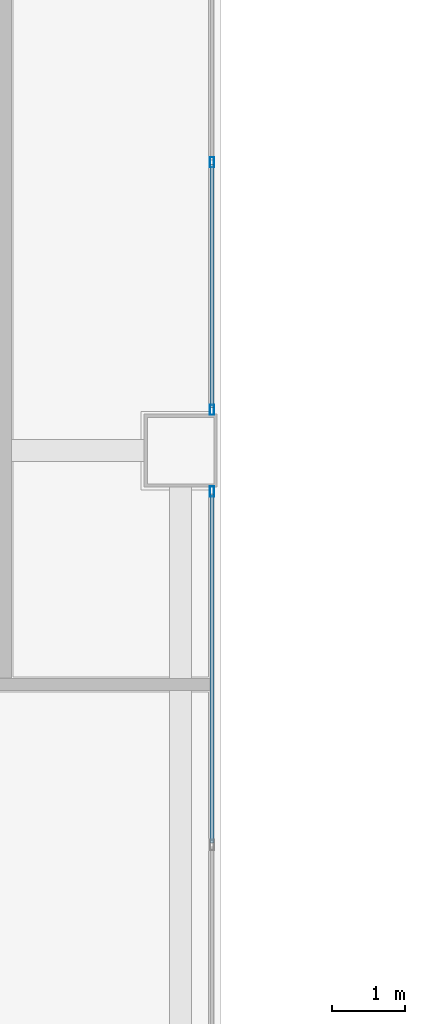
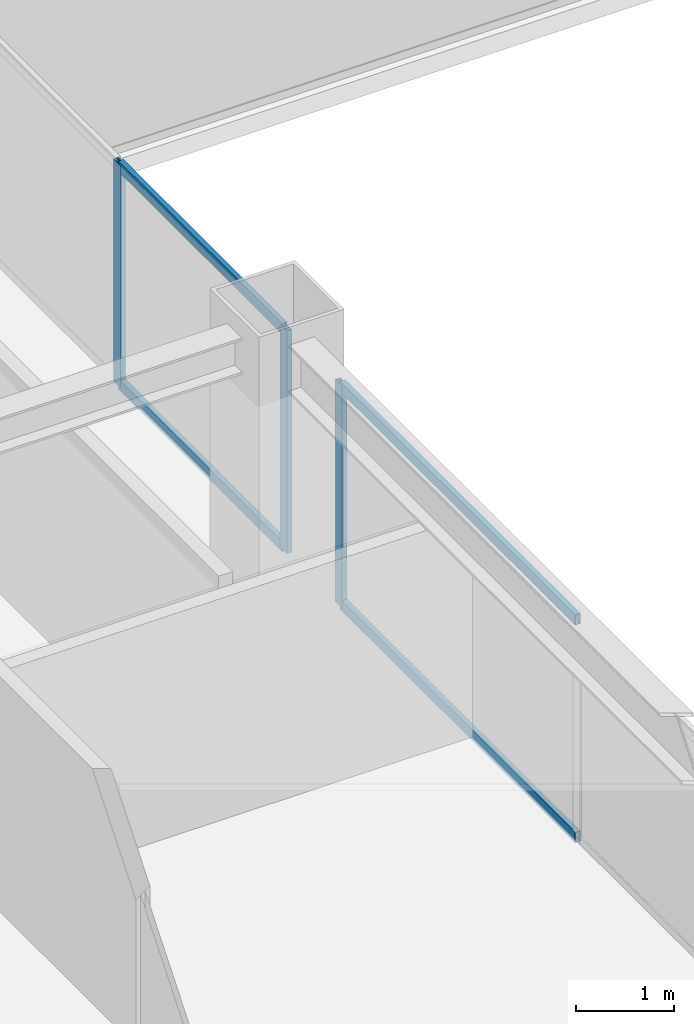
# One storey, part 7 of 29: 7 members, 2 elements without a shape of their own.
"""IFC4 building model written with IfcOpenShell, lengths in metres."""

from ifc_helpers import new_model, si_unit, direction, frame, origin, origin_2d, place, context, subcontext, project, spatial, hollow_rectangle, extrude, source, transform, mapped, material, layer, layer_set, material_profile, profile_set, type_object, element, aggregate, save


model = new_model("IFC4")

# Units and contexts
model_context = context("Model", 3, precision=1e-05, world=origin(), true_north=direction((0.0, 1.0)))
body_context = subcontext(model_context, "Body", "Model", "MODEL_VIEW")
ifc_project = project(units=[si_unit("LENGTHUNIT", "METRE"), si_unit("AREAUNIT", "SQUARE_METRE"), si_unit("VOLUMEUNIT", "CUBIC_METRE"), si_unit("PLANEANGLEUNIT", "RADIAN"), si_unit("MASSUNIT", "GRAM", prefix="KILO")], contexts=[model_context])

# Site, building, storey
site_placement = place(None, origin())
site = spatial("IfcSite", under=ifc_project, at=site_placement, CompositionType="ELEMENT")
building_placement = place(site_placement, origin())
building = spatial("IfcBuilding", under=site, at=building_placement, Name="Sumidabori Civic Tower", CompositionType="ELEMENT")
storey_placement = place(building_placement, frame((0.0, 0.0, 218.0)))
storey = spatial("IfcBuildingStorey", under=building, at=storey_placement, Name="L56", CompositionType="ELEMENT", Elevation=218.0)

# Curtain wall, member
ifc_material = material(Name="Anodised Bronze Aluminium AW-6063-T6", Category="aluminium")
ifc_layer = layer(ifc_material, 0.179931640625, Name="Anodised Bronze Aluminium AW-6063-T6")
ifc_layer_set = layer_set([ifc_layer], Name="Anodised Bronze Aluminium AW-6063-T6")
curtain_wall_type = type_object("IfcCurtainWallType", Name="CW-SYS-4", PredefinedType="NOTDEFINED", material=ifc_layer_set)
curtain_wall_1_placement = place(storey_placement, origin())
curtain_wall_1 = element("IfcCurtainWall", 1, at=curtain_wall_1_placement, inside=storey, type_object=curtain_wall_type, Name="Curtain Wall CW:L56:R03", PredefinedType="NOTDEFINED")
ifc_material_profile_1 = material_profile(ifc_material, hollow_rectangle(XDim=0.06005859375, YDim=0.139892578125, WallThickness=0.0048828125, at=origin_2d()), Name="ALU MULLION 140x60")
ifc_profile_set_1 = profile_set([ifc_material_profile_1], Name="Anodised Bronze Aluminium AW-6063-T6")
member_type_1 = type_object("IfcMemberType", Name="CW-MUL-140", PredefinedType="MULLION", material=ifc_profile_set_1)
shared_shape_1 = source(origin(), body_context, "Body", "SweptSolid", [
    extrude(hollow_rectangle(XDim=0.06005859375, YDim=0.139892578125, WallThickness=0.0048828125, at=origin_2d()), origin(), (0.0, 0.0, 1.0), 2.760009765625),
])
member_1_placement = place(storey_placement, frame((-7.969970703125, -0.56005859375, 0.0), z_axis=(0.0, 0.0, 1.0), x_axis=(-1.0, 0.0, 0.0)))
member_1 = element("IfcMember", 2, at=member_1_placement, type_object=member_type_1, Name="CW-4 mullion 3", PredefinedType="MULLION", context=body_context, shape_type="MappedRepresentation", body=[
    mapped(shared_shape_1, transform((0.0, 0.0, 0.0), x_axis=(1.0, 0.0, 0.0), y_axis=(0.0, 1.0, 0.0), z_axis=(0.0, 0.0, 1.0), scale=1.0)),
])

# Curtain wall, members
curtain_wall_2_placement = place(storey_placement, origin())
curtain_wall_2 = element("IfcCurtainWall", 3, at=curtain_wall_2_placement, inside=storey, type_object=curtain_wall_type, Name="Curtain Wall CW:L56:R04", PredefinedType="NOTDEFINED")
member_2_placement = place(storey_placement, frame((-7.969970703125, 0.56005859375, 0.0), z_axis=(0.0, 0.0, 1.0), x_axis=(-1.0, 0.0, 0.0)))
member_2 = element("IfcMember", 4, at=member_2_placement, type_object=member_type_1, Name="CW-4 mullion 1", PredefinedType="MULLION", context=body_context, shape_type="MappedRepresentation", body=[
    mapped(shared_shape_1, transform((0.0, 0.0, 0.0), x_axis=(1.0, 0.0, 0.0), y_axis=(0.0, 1.0, 0.0), z_axis=(0.0, 0.0, 1.0), scale=1.0)),
])
member_3_placement = place(storey_placement, frame((-7.969970703125, 3.949951171875, 0.0), z_axis=(0.0, 0.0, 1.0), x_axis=(-1.0, 0.0, 0.0)))
member_3 = element("IfcMember", 5, at=member_3_placement, type_object=member_type_1, Name="CW-4 mullion 2", PredefinedType="MULLION", context=body_context, shape_type="MappedRepresentation", body=[
    mapped(shared_shape_1, transform((0.0, 0.0, 0.0), x_axis=(1.0, 0.0, 0.0), y_axis=(0.0, 1.0, 0.0), z_axis=(0.0, 0.0, 1.0), scale=1.0)),
])

# Member
ifc_material_profile_2 = material_profile(ifc_material, hollow_rectangle(XDim=0.06005859375, YDim=0.1298828125, WallThickness=0.0048828125, at=origin_2d()), Name="ALU TRANSOM 130x60")
ifc_profile_set_2 = profile_set([ifc_material_profile_2], Name="Anodised Bronze Aluminium AW-6063-T6")
member_type_2 = type_object("IfcMemberType", Name="CW-TRN-130", PredefinedType="USERDEFINED", material=ifc_profile_set_2)
shared_shape_2 = source(origin(), body_context, "Body", "SweptSolid", [
    extrude(hollow_rectangle(XDim=0.06005859375, YDim=0.1298828125, WallThickness=0.0048828125, at=origin_2d()), origin(), (0.0, 0.0, 1.0), 4.780029296875),
])
member_4_placement = place(storey_placement, frame((-7.969970703125, -5.3701171875, 0.030029296875), z_axis=(0.0, 1.0, 0.0), x_axis=(-1.0, 0.0, 0.0)))
member_4 = element("IfcMember", 6, at=member_4_placement, type_object=member_type_2, Name="CW-4 transom 2.1", ObjectType="TRANSOM", PredefinedType="USERDEFINED", context=body_context, shape_type="MappedRepresentation", body=[
    mapped(shared_shape_2, transform((0.0, 0.0, 0.0), x_axis=(1.0, 0.0, 0.0), y_axis=(0.0, 1.0, 0.0), z_axis=(0.0, 0.0, 1.0), scale=1.0)),
])

member_5_placement = place(storey_placement, frame((-7.969970703125, -5.3701171875, 2.72998046875), z_axis=(0.0, 1.0, 0.0), x_axis=(-1.0, 0.0, 0.0)))
member_5 = element("IfcMember", 7, at=member_5_placement, type_object=member_type_2, Name="CW-4 transom 2.2", ObjectType="TRANSOM", PredefinedType="USERDEFINED", context=body_context, shape_type="MappedRepresentation", body=[
    mapped(shared_shape_2, transform((0.0, 0.0, 0.0), x_axis=(1.0, 0.0, 0.0), y_axis=(0.0, 1.0, 0.0), z_axis=(0.0, 0.0, 1.0), scale=1.0)),
])

aggregate(curtain_wall_1, [member_1, member_4, member_5])

shared_shape_3 = source(origin(), body_context, "Body", "SweptSolid", [
    extrude(hollow_rectangle(XDim=0.06005859375, YDim=0.1298828125, WallThickness=0.0048828125, at=origin_2d()), origin(), (0.0, 0.0, 1.0), 3.329833984375),
])
member_6_placement = place(storey_placement, frame((-7.969970703125, 0.590087890625, 0.030029296875), z_axis=(0.0, 1.0, 0.0), x_axis=(-1.0, 0.0, 0.0)))
member_6 = element("IfcMember", 8, at=member_6_placement, type_object=member_type_2, Name="CW-4 transom 1.1", ObjectType="TRANSOM", PredefinedType="USERDEFINED", context=body_context, shape_type="MappedRepresentation", body=[
    mapped(shared_shape_3, transform((0.0, 0.0, 0.0), x_axis=(1.0, 0.0, 0.0), y_axis=(0.0, 1.0, 0.0), z_axis=(0.0, 0.0, 1.0), scale=1.0)),
])

member_7_placement = place(storey_placement, frame((-7.969970703125, 0.590087890625, 2.72998046875), z_axis=(0.0, 1.0, 0.0), x_axis=(-1.0, 0.0, 0.0)))
member_7 = element("IfcMember", 9, at=member_7_placement, type_object=member_type_2, Name="CW-4 transom 1.2", ObjectType="TRANSOM", PredefinedType="USERDEFINED", context=body_context, shape_type="MappedRepresentation", body=[
    mapped(shared_shape_3, transform((0.0, 0.0, 0.0), x_axis=(1.0, 0.0, 0.0), y_axis=(0.0, 1.0, 0.0), z_axis=(0.0, 0.0, 1.0), scale=1.0)),
])

aggregate(curtain_wall_2, [member_2, member_3, member_6, member_7])

save(model, "model.ifc")
